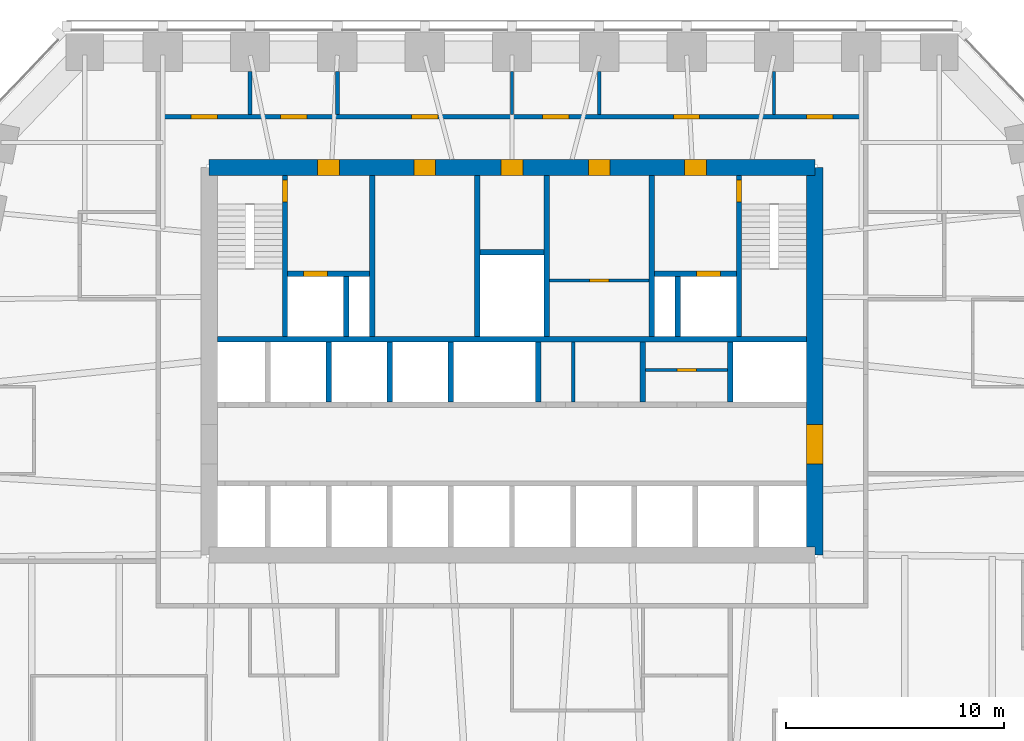
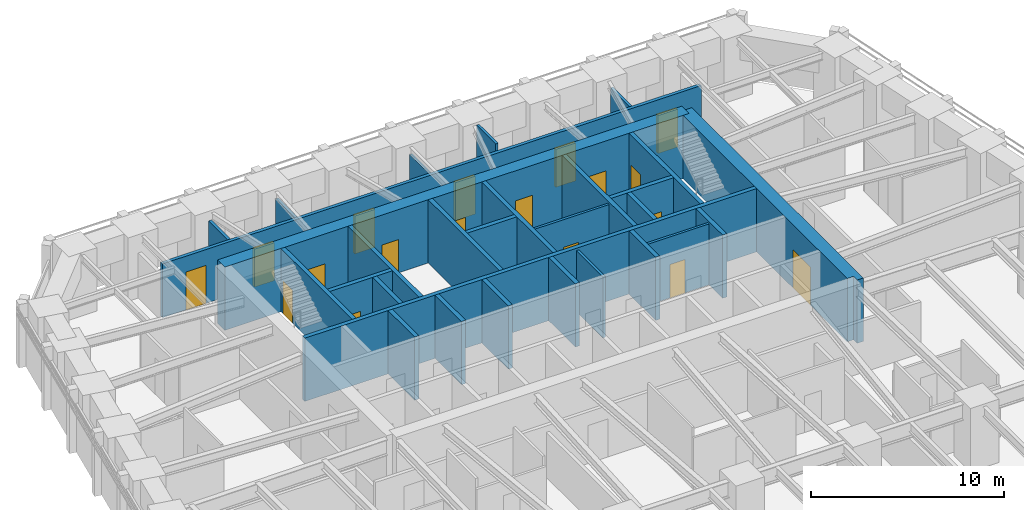
# One storey, part 7 of 10: 29 walls, 18 doors, 18 openings.
"""IFC4 building model written with IfcOpenShell, lengths in metres."""

import ifcopenshell
import ifcopenshell.guid

model = None  # the IFC model being written
_history = None  # IfcOwnerHistory: only IFC2X3 demands one
_inside = {}  # id of a spatial element -> (the spatial element, [elements in it])
_under = {}  # id of a project, library or spatial element -> (it, [spatial elements below it])
_declared = {}  # id of a project -> (the project, [libraries it declares])
_typed = {}  # id of a type object -> (the type object, [elements of that type])
_made_of = {}  # id of a material, layer set ... -> (it, [elements and type objects made of it])


def new_model(schema):
    """Start an empty IFC model of exactly this schema.

    Asked for "IFC4X3", IfcOpenShell would pick the latest addendum, in which some entities
    have other attributes; the version numbers below select the first issue.
    IFC2X3 requires an IfcOwnerHistory on every rooted entity: one is made here for all.
    """
    global model, _history
    if schema == "IFC4X3":
        model = ifcopenshell.file(schema_version=(4, 3, 0, 0))
    else:
        model = ifcopenshell.file(schema=schema)
    _inside.clear()
    _under.clear()
    _declared.clear()
    _typed.clear()
    _made_of.clear()
    _history = None
    if model.schema == "IFC2X3":
        org = make("IfcOrganization", Name="unknown")
        user = make(
            "IfcPersonAndOrganization",
            ThePerson=make("IfcPerson", FamilyName="unknown"),
            TheOrganization=org,
        )
        app = make(
            "IfcApplication",
            ApplicationDeveloper=org,
            Version="unknown",
            ApplicationFullName="unknown",
            ApplicationIdentifier="unknown",
        )
        _history = make(
            "IfcOwnerHistory",
            OwningUser=user,
            OwningApplication=app,
            ChangeAction="ADDED",
            CreationDate=0,
        )
    return model


def make(cls, **values):
    """One entity of the class cls with the attributes given. An attribute that is None is left unset."""
    return model.create_entity(
        cls, **{name: value for name, value in values.items() if value is not None}
    )


def rooted(cls, **values):
    """An entity with a GlobalId (a new one), such as an element, a storey or a relation."""
    return make(cls, GlobalId=ifcopenshell.guid.new(), OwnerHistory=_history, **values)


def si_unit(unit_type, name, prefix=None):
    """IfcSIUnit, for example si_unit("LENGTHUNIT", "METRE", prefix="MILLI")."""
    return make("IfcSIUnit", UnitType=unit_type, Prefix=prefix, Name=name)


def assignment(units):
    """IfcUnitAssignment: the units of a project."""
    return None if units is None else make("IfcUnitAssignment", Units=units)


def point(xyz):
    """IfcCartesianPoint."""
    return None if xyz is None else make("IfcCartesianPoint", Coordinates=xyz)


def direction(xyz):
    """IfcDirection."""
    return None if xyz is None else make("IfcDirection", DirectionRatios=xyz)


def frame(location, z_axis=None, x_axis=None):
    """IfcAxis2Placement3D, a coordinate frame: its origin and axes. An axis left out is left unset."""
    return make(
        "IfcAxis2Placement3D",
        Location=point(location),
        Axis=direction(z_axis),
        RefDirection=direction(x_axis),
    )


def frame_2d(location, x_axis=None):
    """IfcAxis2Placement2D, a coordinate frame in the plane: its origin and x axis."""
    return make(
        "IfcAxis2Placement2D", Location=point(location), RefDirection=direction(x_axis)
    )


def origin():
    """The frame at (0, 0, 0) with its axes left unset."""
    return frame((0.0, 0.0, 0.0))


def place(relative_to, where):
    """IfcLocalPlacement: puts the frame where relative to a parent placement (None: the world)."""
    return make(
        "IfcLocalPlacement", PlacementRelTo=relative_to, RelativePlacement=where
    )


def context(
    kind, dimensions, precision=None, world=None, true_north=None, identifier=None
):
    """IfcGeometricRepresentationContext, for example the 3D "Model" context."""
    return make(
        "IfcGeometricRepresentationContext",
        ContextIdentifier=identifier,
        ContextType=kind,
        CoordinateSpaceDimension=dimensions,
        Precision=precision,
        WorldCoordinateSystem=world,
        TrueNorth=true_north,
    )


def subcontext(parent, identifier, kind, view, scale=None):
    """IfcGeometricRepresentationSubContext, for example "Body" below "Model"."""
    return make(
        "IfcGeometricRepresentationSubContext",
        ContextIdentifier=identifier,
        ContextType=kind,
        ParentContext=parent,
        TargetScale=scale,
        TargetView=view,
    )


def project(units=None, contexts=None):
    """IfcProject with its units and contexts."""
    return rooted(
        "IfcProject",
        Name="project",
        RepresentationContexts=contexts,
        UnitsInContext=assignment(units),
    )


def spatial(cls, under=None, at=None, **own):
    """A site, building, storey or space (cls), placed at a placement, below another one or the project."""
    s = rooted(cls, ObjectPlacement=at, **own)
    if under is not None:
        _under.setdefault(under.id(), (under, []))[1].append(s)
    return s


def polyline(points):
    """IfcPolyline through the points."""
    return make("IfcPolyline", Points=[point(p) for p in points])


def profile(cls, at=None, kind="AREA", **sizes):
    """A parametric profile (cls). Its sizes go by their IFC names, for example OverallWidth=200.0."""
    return make(cls, ProfileType=kind, Position=at, **sizes)


def rectangle(**sizes):
    """IfcRectangleProfileDef."""
    return profile("IfcRectangleProfileDef", **sizes)


def outline(outer, holes=None, kind="AREA"):
    """IfcArbitraryClosedProfileDef: a profile drawn as a closed curve; with holes, ...WithVoids."""
    if holes is None:
        return make("IfcArbitraryClosedProfileDef", ProfileType=kind, OuterCurve=outer)
    return make(
        "IfcArbitraryProfileDefWithVoids",
        ProfileType=kind,
        OuterCurve=outer,
        InnerCurves=holes,
    )


def extrude(swept, where, along, depth):
    """IfcExtrudedAreaSolid: the profile swept, set in the frame where, extruded along a direction by depth."""
    return make(
        "IfcExtrudedAreaSolid",
        SweptArea=swept,
        Position=where,
        ExtrudedDirection=direction(along),
        Depth=depth,
    )


def shape(context_of_items, identifier, shape_type, items):
    """IfcShapeRepresentation: the items that make up one representation, for example the "Body"."""
    return make(
        "IfcShapeRepresentation",
        ContextOfItems=context_of_items,
        RepresentationIdentifier=identifier,
        RepresentationType=shape_type,
        Items=items,
    )


def material(Name=None, Category=None):
    """IfcMaterial."""
    return make("IfcMaterial", Name=Name, Category=Category)


def layer(
    of_material, thickness, ventilated=None, Name=None, Category=None, Priority=None
):
    """IfcMaterialLayer: one layer of a wall or slab, of a material (None: an air gap)."""
    return make(
        "IfcMaterialLayer",
        Material=of_material,
        LayerThickness=thickness,
        IsVentilated=ventilated,
        Name=Name,
        Category=Category,
        Priority=Priority,
    )


def layer_set(layers, Name=None):
    """IfcMaterialLayerSet."""
    return make("IfcMaterialLayerSet", MaterialLayers=layers, LayerSetName=Name)


def made_of(thing, what):
    """Note that an element or type object is made of a material, layer set ...; save() writes the relation."""
    if what is not None:
        _made_of.setdefault(what.id(), (what, []))[1].append(thing)
    return thing


def type_object(cls, material=None, **own):
    """A type object (cls), such as IfcWallType, which elements share."""
    return made_of(rooted(cls, **own), material)


def element(
    cls,
    number,
    at=None,
    inside=None,
    cuts=None,
    type_object=None,
    material=None,
    context=None,
    identifier="Body",
    shape_type=None,
    held_by="IfcProductDefinitionShape",
    body=None,
    shapes=None,
    **own,
):
    """One element of the class cls, such as IfcWall. Its Tag is "e" and its number.

    at: its placement. inside: the storey or other place that contains it. cuts: it is an
    opening in that element (IfcRelVoidsElement). A single representation is given by context,
    identifier, shape_type and body (its items); several are given by shapes. held_by: the class
    of the entity that holds the representations. save() writes the other relations.
    """
    e = rooted(cls, Tag="e%d" % number, ObjectPlacement=at, **own)
    if body is not None:
        shapes = [shape(context, identifier, shape_type, body)]
    if shapes is not None:
        e.Representation = make(held_by, Representations=shapes)
    if inside is not None:
        _inside.setdefault(inside.id(), (inside, []))[1].append(e)
    if cuts is not None:
        rooted(
            "IfcRelVoidsElement", RelatingBuildingElement=cuts, RelatedOpeningElement=e
        )
    if type_object is not None:
        _typed.setdefault(type_object.id(), (type_object, []))[1].append(e)
    return made_of(e, material)


def fill(opening, filler):
    """IfcRelFillsElement: the door or window that sits in an opening."""
    return rooted(
        "IfcRelFillsElement",
        RelatingOpeningElement=opening,
        RelatedBuildingElement=filler,
    )


def aggregate(whole, parts):
    """IfcRelAggregates: a whole, such as a stair, and the parts it consists of."""
    return rooted("IfcRelAggregates", RelatingObject=whole, RelatedObjects=parts)


def save(model, path):
    """Write the relations noted so far, then the file.

    IfcRelAggregates (storeys below a building ...), IfcRelContainedInSpatialStructure (elements
    in a storey), IfcRelDefinesByType, IfcRelAssociatesMaterial and IfcRelDeclares: one each for
    every whole, place, type object, material and project.
    """
    for whole, parts in _under.values():
        aggregate(whole, parts)
    for where, things in _inside.values():
        rooted(
            "IfcRelContainedInSpatialStructure",
            RelatedElements=things,
            RelatingStructure=where,
        )
    for kind, things in _typed.values():
        rooted("IfcRelDefinesByType", RelatedObjects=things, RelatingType=kind)
    for what, things in _made_of.values():
        rooted("IfcRelAssociatesMaterial", RelatedObjects=things, RelatingMaterial=what)
    for by, libraries in _declared.values():
        rooted("IfcRelDeclares", RelatingContext=by, RelatedDefinitions=libraries)
    model.write(path)


model = new_model("IFC4")

# Units and contexts
model_context = context("Model", 3, precision=1e-05, world=origin(), true_north=direction((0.0, 1.0)))
body_context = subcontext(model_context, "Body", "Model", "MODEL_VIEW")
ifc_project = project(units=[si_unit("LENGTHUNIT", "METRE"), si_unit("AREAUNIT", "SQUARE_METRE"), si_unit("VOLUMEUNIT", "CUBIC_METRE"), si_unit("PLANEANGLEUNIT", "RADIAN"), si_unit("MASSUNIT", "GRAM", prefix="KILO")], contexts=[model_context])

# Site, building, storey
site_placement = place(None, origin())
site = spatial("IfcSite", under=ifc_project, at=site_placement, CompositionType="ELEMENT")
building_placement = place(site_placement, origin())
building = spatial("IfcBuilding", under=site, at=building_placement, Name="Isbrekke Arena Tower", CompositionType="ELEMENT")
storey_placement = place(building_placement, frame((0.0, 0.0, 151.0)))
storey = spatial("IfcBuildingStorey", under=building, at=storey_placement, Name="L34", CompositionType="ELEMENT", Elevation=151.0)

# Wall, opening, door
ifc_material_1 = material(Name="Concrete B55 (C55/67)", Category="concrete")
ifc_layer_1 = layer(ifc_material_1, 0.75)
ifc_layer_set_1 = layer_set([ifc_layer_1], Name="CW3 CORE WALL 750")
wall_type_1 = type_object("IfcWallType", Name="CW3 CORE WALL 750", PredefinedType="SHEAR", material=ifc_layer_set_1)
wall_1_placement = place(storey_placement, frame((13.875, 6.125, 0.0), z_axis=(0.0, 0.0, 1.0), x_axis=(0.0, 1.0, 0.0)))
wall_1 = element("IfcWall", 1, at=wall_1_placement, inside=storey, type_object=wall_type_1, Name="Core wall E L34", PredefinedType="SHEAR", context=body_context, shape_type="SweptSolid", body=[
    extrude(outline(polyline([(0.0, -0.375), (17.75, -0.375), (17.75, 0.0), (17.375, 0.0), (17.375, 0.375), (0.375, 0.375), (0.375, 0.0), (0.0, 0.0), (0.0, -0.375)])), origin(), (0.0, 0.0, 1.0), 4.0),
])
opening_1_placement = place(wall_1_placement, frame((4.175048828125, 0.0, 0.0)))
opening_1 = element("IfcOpeningElement", 2, at=opening_1_placement, cuts=wall_1, Name="Opening D1", PredefinedType="OPENING", context=body_context, shape_type="SweptSolid", body=[
    extrude(rectangle(XDim=1.800048828125, YDim=2.39990234375, at=frame_2d((0.89990234375, 1.199951171875))), frame((0.0, 0.389892578125, 0.0), z_axis=(0.0, -1.0, 0.0), x_axis=(1.0, 0.0, 0.0)), (0.0, 0.0, 1.0), 0.77978515625),
])
ifc_material_2 = material(Name="Steel-framed glazed fire door", Category="steel")
door_type_1 = type_object("IfcDoorType", Name="D1 CORE LOBBY DOOR 1800 x 2400", OperationType="DOUBLE_DOOR_SINGLE_SWING", PredefinedType="DOOR", material=ifc_material_2)
door_1_placement = place(opening_1_placement, origin())
door_1 = element("IfcDoor", 3, at=door_1_placement, inside=storey, type_object=door_type_1, Name="D1 lift lobby door east L34", OperationType="DOUBLE_DOOR_SINGLE_SWING", OverallHeight=2.39990234375, OverallWidth=1.800048828125, PredefinedType="DOOR", context=body_context, shape_type="SweptSolid", body=[
    extrude(rectangle(XDim=1.800048828125, YDim=2.39990234375, at=frame_2d((0.89990234375, 1.199951171875))), frame((0.0, 0.374755859375, 0.0), z_axis=(0.0, -1.0, 0.0), x_axis=(1.0, 0.0, 0.0)), (0.0, 0.0, 1.0), 0.74951171875),
])
fill(opening_1, door_1)

# Wall, openings, doors
wall_2_placement = place(storey_placement, frame((13.875, 23.875, 0.0), z_axis=(0.0, 0.0, 1.0), x_axis=(-1.0, 0.0, 0.0)))
wall_2 = element("IfcWall", 4, at=wall_2_placement, inside=storey, type_object=wall_type_1, Name="Core wall N L34", PredefinedType="SHEAR", context=body_context, shape_type="SweptSolid", body=[
    extrude(rectangle(XDim=27.75, YDim=0.75, at=frame_2d((13.875, 0.0))), origin(), (0.0, 0.0, 1.0), 4.0),
])
opening_2_placement = place(wall_2_placement, frame((21.77490234375, 0.0, 0.0)))
opening_2 = element("IfcOpeningElement", 5, at=opening_2_placement, cuts=wall_2, Name="Opening D3", PredefinedType="OPENING", context=body_context, shape_type="SweptSolid", body=[
    extrude(rectangle(XDim=1.0, YDim=2.10009765625, at=frame_2d((0.5, 1.050048828125))), frame((0.0, 0.389892578125, 0.0), z_axis=(0.0, -1.0, 0.0), x_axis=(1.0, 0.0, 0.0)), (0.0, 0.0, 1.0), 0.77978515625),
])
opening_3_placement = place(wall_2_placement, frame((4.97509765625, 0.0, 0.0)))
opening_3 = element("IfcOpeningElement", 6, at=opening_3_placement, cuts=wall_2, Name="Opening D3", PredefinedType="OPENING", context=body_context, shape_type="SweptSolid", body=[
    extrude(rectangle(XDim=1.0, YDim=2.10009765625, at=frame_2d((0.5, 1.050048828125))), frame((0.0, 0.389892578125, 0.0), z_axis=(0.0, -1.0, 0.0), x_axis=(1.0, 0.0, 0.0)), (0.0, 0.0, 1.0), 0.77978515625),
])
opening_4_placement = place(wall_2_placement, frame((17.375, 0.0, 0.0)))
opening_4 = element("IfcOpeningElement", 7, at=opening_4_placement, cuts=wall_2, Name="Opening D4", PredefinedType="OPENING", context=body_context, shape_type="SweptSolid", body=[
    extrude(rectangle(XDim=1.0, YDim=2.10009765625, at=frame_2d((0.5, 1.050048828125))), frame((0.0, 0.389892578125, 0.0), z_axis=(0.0, -1.0, 0.0), x_axis=(1.0, 0.0, 0.0)), (0.0, 0.0, 1.0), 0.77978515625),
])
opening_5_placement = place(wall_2_placement, frame((13.375, 0.0, 0.0)))
opening_5 = element("IfcOpeningElement", 8, at=opening_5_placement, cuts=wall_2, Name="Opening D4", PredefinedType="OPENING", context=body_context, shape_type="SweptSolid", body=[
    extrude(rectangle(XDim=1.0, YDim=2.10009765625, at=frame_2d((0.5, 1.050048828125))), frame((0.0, 0.389892578125, 0.0), z_axis=(0.0, -1.0, 0.0), x_axis=(1.0, 0.0, 0.0)), (0.0, 0.0, 1.0), 0.77978515625),
])
opening_6_placement = place(wall_2_placement, frame((9.375, 0.0, 0.0)))
opening_6 = element("IfcOpeningElement", 9, at=opening_6_placement, cuts=wall_2, Name="Opening D4", PredefinedType="OPENING", context=body_context, shape_type="SweptSolid", body=[
    extrude(rectangle(XDim=1.0, YDim=2.10009765625, at=frame_2d((0.5, 1.050048828125))), frame((0.0, 0.389892578125, 0.0), z_axis=(0.0, -1.0, 0.0), x_axis=(1.0, 0.0, 0.0)), (0.0, 0.0, 1.0), 0.77978515625),
])
ifc_material_3 = material(Name="Steel fire door", Category="steel")
door_type_2 = type_object("IfcDoorType", Name="D3 FIRE LOBBY DOOR 1000 x 2100", OperationType="SINGLE_SWING_RIGHT", PredefinedType="DOOR", material=ifc_material_3)
door_2_placement = place(opening_2_placement, origin())
door_2 = element("IfcDoor", 10, at=door_2_placement, inside=storey, type_object=door_type_2, Name="D3 fire-fighting lobby door L34", OperationType="SINGLE_SWING_RIGHT", OverallHeight=2.10009765625, OverallWidth=1.0, PredefinedType="DOOR", context=body_context, shape_type="SweptSolid", body=[
    extrude(rectangle(XDim=1.0, YDim=2.10009765625, at=frame_2d((0.5, 1.050048828125))), frame((0.0, 0.374755859375, 0.0), z_axis=(0.0, -1.0, 0.0), x_axis=(1.0, 0.0, 0.0)), (0.0, 0.0, 1.0), 0.74951171875),
])
fill(opening_2, door_2)
door_3_placement = place(opening_3_placement, origin())
door_3 = element("IfcDoor", 11, at=door_3_placement, inside=storey, type_object=door_type_2, Name="D3 fire-fighting lobby door L34", OperationType="SINGLE_SWING_RIGHT", OverallHeight=2.10009765625, OverallWidth=1.0, PredefinedType="DOOR", context=body_context, shape_type="SweptSolid", body=[
    extrude(rectangle(XDim=1.0, YDim=2.10009765625, at=frame_2d((0.5, 1.050048828125))), frame((0.0, 0.374755859375, 0.0), z_axis=(0.0, -1.0, 0.0), x_axis=(1.0, 0.0, 0.0)), (0.0, 0.0, 1.0), 0.74951171875),
])
fill(opening_3, door_3)
ifc_material_4 = material(Name="Timber door", Category="wood")
door_type_3 = type_object("IfcDoorType", Name="D4 WC DOOR 1000 x 2100", OperationType="SINGLE_SWING_LEFT", PredefinedType="DOOR", material=ifc_material_4)
door_4_placement = place(opening_4_placement, origin())
door_4 = element("IfcDoor", 12, at=door_4_placement, inside=storey, type_object=door_type_3, Name="D4 wc female door L34", OperationType="SINGLE_SWING_LEFT", OverallHeight=2.10009765625, OverallWidth=1.0, PredefinedType="DOOR", context=body_context, shape_type="SweptSolid", body=[
    extrude(rectangle(XDim=1.0, YDim=2.10009765625, at=frame_2d((0.5, 1.050048828125))), frame((0.0, 0.374755859375, 0.0), z_axis=(0.0, -1.0, 0.0), x_axis=(1.0, 0.0, 0.0)), (0.0, 0.0, 1.0), 0.74951171875),
])
fill(opening_4, door_4)
door_5_placement = place(opening_5_placement, origin())
door_5 = element("IfcDoor", 13, at=door_5_placement, inside=storey, type_object=door_type_3, Name="D4 accessible wc door L34", OperationType="SINGLE_SWING_LEFT", OverallHeight=2.10009765625, OverallWidth=1.0, PredefinedType="DOOR", context=body_context, shape_type="SweptSolid", body=[
    extrude(rectangle(XDim=1.0, YDim=2.10009765625, at=frame_2d((0.5, 1.050048828125))), frame((0.0, 0.374755859375, 0.0), z_axis=(0.0, -1.0, 0.0), x_axis=(1.0, 0.0, 0.0)), (0.0, 0.0, 1.0), 0.74951171875),
])
fill(opening_5, door_5)
door_6_placement = place(opening_6_placement, origin())
door_6 = element("IfcDoor", 14, at=door_6_placement, inside=storey, type_object=door_type_3, Name="D4 wc male door L34", OperationType="SINGLE_SWING_LEFT", OverallHeight=2.10009765625, OverallWidth=1.0, PredefinedType="DOOR", context=body_context, shape_type="SweptSolid", body=[
    extrude(rectangle(XDim=1.0, YDim=2.10009765625, at=frame_2d((0.5, 1.050048828125))), frame((0.0, 0.374755859375, 0.0), z_axis=(0.0, -1.0, 0.0), x_axis=(1.0, 0.0, 0.0)), (0.0, 0.0, 1.0), 0.74951171875),
])
fill(opening_6, door_6)

# Walls
ifc_material_5 = material(Name="Concrete B45 (C45/55)", Category="concrete")
ifc_layer_2 = layer(ifc_material_5, 0.25)
ifc_layer_set_2 = layer_set([ifc_layer_2], Name="CW6 SHAFT WALL 250")
wall_type_2 = type_object("IfcWallType", Name="CW6 SHAFT WALL 250", PredefinedType="SHEAR", material=ifc_layer_set_2)
wall_3_placement = place(storey_placement, frame((-13.5, 16.0, 0.0), z_axis=(0.0, 0.0, 1.0), x_axis=(1.0, 0.0, 0.0)))
element("IfcWall", 15, at=wall_3_placement, inside=storey, type_object=wall_type_2, Name="Core wall NB L34", PredefinedType="SHEAR", context=body_context, shape_type="SweptSolid", body=[
    extrude(rectangle(XDim=27.0, YDim=0.25, at=frame_2d((13.5, 0.0))), origin(), (0.0, 0.0, 1.0), 4.0),
])
for number, where, z_axis, x_axis, name in (
    (16, (-8.39990234375, 13.125, 0.0), (0.0, 0.0, 1.0), (0.0, 1.0, 0.0), "Core wall SN02 L34"),
    (17, (-5.60009765625, 13.125, 0.0), (0.0, 0.0, 1.0), (0.0, 1.0, 0.0), "Core wall SN03 L34"),
    (18, (-2.800048828125, 13.125, 0.0), (0.0, 0.0, 1.0), (0.0, 1.0, 0.0), "Core wall SN04 L34"),
    (19, (1.199951171875, 13.125, 0.0), (0.0, 0.0, 1.0), (0.0, 1.0, 0.0), "Core wall SN05 L34"),
    (20, (6.0, 13.125, 0.0), (0.0, 0.0, 1.0), (0.0, 1.0, 0.0), "Core wall SN06 L34"),
    (21, (10.0, 13.125, 0.0), (0.0, 0.0, 1.0), (0.0, 1.0, 0.0), "Core wall SN07 L34"),
):
    element("IfcWall", number, at=place(storey_placement, frame(where, z_axis=z_axis, x_axis=x_axis)), inside=storey, type_object=wall_type_2, Name=name, PredefinedType="SHEAR", context=body_context, shape_type="SweptSolid", body=[
        extrude(rectangle(XDim=2.75, YDim=0.25, at=frame_2d((1.375, 0.0))), origin(), (0.0, 0.0, 1.0), 4.0),
    ])

# Wall, opening, door
wall_4_placement = place(storey_placement, frame((-10.39990234375, 16.125, 0.0), z_axis=(0.0, 0.0, 1.0), x_axis=(0.0, 1.0, 0.0)))
wall_4 = element("IfcWall", 22, at=wall_4_placement, inside=storey, type_object=wall_type_2, Name="Core wall NV01 L34", PredefinedType="SHEAR", context=body_context, shape_type="SweptSolid", body=[
    extrude(rectangle(XDim=7.375, YDim=0.25, at=frame_2d((3.6875, 0.0))), origin(), (0.0, 0.0, 1.0), 4.0),
])
opening_7_placement = place(wall_4_placement, frame((6.175048828125, 0.0, 0.0)))
opening_7 = element("IfcOpeningElement", 23, at=opening_7_placement, cuts=wall_4, Name="Opening D2", PredefinedType="OPENING", context=body_context, shape_type="SweptSolid", body=[
    extrude(rectangle(XDim=1.0, YDim=2.10009765625, at=frame_2d((0.5, 1.050048828125))), frame((0.0, 0.139892578125, 0.0), z_axis=(0.0, -1.0, 0.0), x_axis=(1.0, 0.0, 0.0)), (0.0, 0.0, 1.0), 0.27978515625),
])
ifc_material_6 = material(Name="Steel fire door", Category="steel")
door_type_4 = type_object("IfcDoorType", Name="D2 STAIR DOOR 1000 x 2100", OperationType="SINGLE_SWING_LEFT", PredefinedType="DOOR", material=ifc_material_6)
door_7_placement = place(opening_7_placement, origin())
door_7 = element("IfcDoor", 24, at=door_7_placement, inside=storey, type_object=door_type_4, Name="D2 stair door ST1 L34", OperationType="SINGLE_SWING_LEFT", OverallHeight=2.10009765625, OverallWidth=1.0, PredefinedType="DOOR", context=body_context, shape_type="SweptSolid", body=[
    extrude(rectangle(XDim=1.0, YDim=2.10009765625, at=frame_2d((0.5, 1.050048828125))), frame((0.0, 0.124755859375, 0.0), z_axis=(0.0, -1.0, 0.0), x_axis=(1.0, 0.0, 0.0)), (0.0, 0.0, 1.0), 0.24951171875),
])
fill(opening_7, door_7)

# Walls
for number, where, z_axis, x_axis, name in (
    (25, (-6.39990234375, 16.125, 0.0), (0.0, 0.0, 1.0), (0.0, 1.0, 0.0), "Core wall NV02 L34"),
    (26, (-1.60009765625, 16.125, 0.0), (0.0, 0.0, 1.0), (0.0, 1.0, 0.0), "Core wall NV03 L34"),
    (27, (1.60009765625, 16.125, 0.0), (0.0, 0.0, 1.0), (0.0, 1.0, 0.0), "Core wall NV04 L34"),
    (28, (6.39990234375, 16.125, 0.0), (0.0, 0.0, 1.0), (0.0, 1.0, 0.0), "Core wall NV05 L34"),
):
    element("IfcWall", number, at=place(storey_placement, frame(where, z_axis=z_axis, x_axis=x_axis)), inside=storey, type_object=wall_type_2, Name=name, PredefinedType="SHEAR", context=body_context, shape_type="SweptSolid", body=[
        extrude(rectangle(XDim=7.375, YDim=0.25, at=frame_2d((3.6875, 0.0))), origin(), (0.0, 0.0, 1.0), 4.0),
    ])

# Wall, opening, door
wall_5_placement = place(storey_placement, frame((10.39990234375, 16.125, 0.0), z_axis=(0.0, 0.0, 1.0), x_axis=(0.0, 1.0, 0.0)))
wall_5 = element("IfcWall", 29, at=wall_5_placement, inside=storey, type_object=wall_type_2, Name="Core wall NV06 L34", PredefinedType="SHEAR", context=body_context, shape_type="SweptSolid", body=[
    extrude(rectangle(XDim=7.375, YDim=0.25, at=frame_2d((3.6875, 0.0))), origin(), (0.0, 0.0, 1.0), 4.0),
])
opening_8_placement = place(wall_5_placement, frame((6.175048828125, 0.0, 0.0)))
opening_8 = element("IfcOpeningElement", 30, at=opening_8_placement, cuts=wall_5, Name="Opening D2", PredefinedType="OPENING", context=body_context, shape_type="SweptSolid", body=[
    extrude(rectangle(XDim=1.0, YDim=2.10009765625, at=frame_2d((0.5, 1.050048828125))), frame((0.0, 0.139892578125, 0.0), z_axis=(0.0, -1.0, 0.0), x_axis=(1.0, 0.0, 0.0)), (0.0, 0.0, 1.0), 0.27978515625),
])
door_8_placement = place(opening_8_placement, origin())
door_8 = element("IfcDoor", 31, at=door_8_placement, inside=storey, type_object=door_type_4, Name="D2 stair door ST2 L34", OperationType="SINGLE_SWING_LEFT", OverallHeight=2.10009765625, OverallWidth=1.0, PredefinedType="DOOR", context=body_context, shape_type="SweptSolid", body=[
    extrude(rectangle(XDim=1.0, YDim=2.10009765625, at=frame_2d((0.5, 1.050048828125))), frame((0.0, 0.124755859375, 0.0), z_axis=(0.0, -1.0, 0.0), x_axis=(1.0, 0.0, 0.0)), (0.0, 0.0, 1.0), 0.24951171875),
])
fill(opening_8, door_8)

wall_6_placement = place(storey_placement, frame((-10.27490234375, 19.0, 0.0), z_axis=(0.0, 0.0, 1.0), x_axis=(1.0, 0.0, 0.0)))
wall_6 = element("IfcWall", 32, at=wall_6_placement, inside=storey, type_object=wall_type_2, Name="Core wall NFW L34", PredefinedType="SHEAR", context=body_context, shape_type="SweptSolid", body=[
    extrude(rectangle(XDim=3.75, YDim=0.25, at=frame_2d((1.875, 0.0))), origin(), (0.0, 0.0, 1.0), 4.0),
])
opening_9_placement = place(wall_6_placement, frame((0.72509765625, 0.0, 0.0)))
opening_9 = element("IfcOpeningElement", 33, at=opening_9_placement, cuts=wall_6, Name="Opening LD2", PredefinedType="OPENING", context=body_context, shape_type="SweptSolid", body=[
    extrude(rectangle(XDim=1.10009765625, YDim=2.10009765625, at=frame_2d((0.550048828125, 1.050048828125))), frame((0.0, 0.139892578125, 0.0), z_axis=(0.0, -1.0, 0.0), x_axis=(1.0, 0.0, 0.0)), (0.0, 0.0, 1.0), 0.27978515625),
])
ifc_material_7 = material(Name="Stainless steel lift landing door", Category="steel")
door_type_5 = type_object("IfcDoorType", Name="LD2 FIRE-FIGHTING LIFT LANDING DOOR 1100 x 2100", OperationType="SLIDING_TO_RIGHT", PredefinedType="DOOR", material=ifc_material_7)
door_9_placement = place(opening_9_placement, origin())
door_9 = element("IfcDoor", 34, at=door_9_placement, inside=storey, type_object=door_type_5, Name="LD2 lift landing door LF L34", OperationType="SLIDING_TO_RIGHT", OverallHeight=2.10009765625, OverallWidth=1.10009765625, PredefinedType="DOOR", context=body_context, shape_type="SweptSolid", body=[
    extrude(rectangle(XDim=1.10009765625, YDim=2.10009765625, at=frame_2d((0.550048828125, 1.050048828125))), frame((0.0, 0.124755859375, 0.0), z_axis=(0.0, -1.0, 0.0), x_axis=(1.0, 0.0, 0.0)), (0.0, 0.0, 1.0), 0.24951171875),
])
fill(opening_9, door_9)

wall_7_placement = place(storey_placement, frame((6.52490234375, 19.0, 0.0), z_axis=(0.0, 0.0, 1.0), x_axis=(1.0, 0.0, 0.0)))
wall_7 = element("IfcWall", 35, at=wall_7_placement, inside=storey, type_object=wall_type_2, Name="Core wall NFE L34", PredefinedType="SHEAR", context=body_context, shape_type="SweptSolid", body=[
    extrude(rectangle(XDim=3.75, YDim=0.25, at=frame_2d((1.875, 0.0))), origin(), (0.0, 0.0, 1.0), 4.0),
])
opening_10_placement = place(wall_7_placement, frame((1.925048828125, 0.0, 0.0)))
opening_10 = element("IfcOpeningElement", 36, at=opening_10_placement, cuts=wall_7, Name="Opening LD2", PredefinedType="OPENING", context=body_context, shape_type="SweptSolid", body=[
    extrude(rectangle(XDim=1.10009765625, YDim=2.10009765625, at=frame_2d((0.550048828125, 1.050048828125))), frame((0.0, 0.139892578125, 0.0), z_axis=(0.0, -1.0, 0.0), x_axis=(1.0, 0.0, 0.0)), (0.0, 0.0, 1.0), 0.27978515625),
])
door_10_placement = place(opening_10_placement, origin())
door_10 = element("IfcDoor", 37, at=door_10_placement, inside=storey, type_object=door_type_5, Name="LD2 lift landing door LF L34", OperationType="SLIDING_TO_RIGHT", OverallHeight=2.10009765625, OverallWidth=1.10009765625, PredefinedType="DOOR", context=body_context, shape_type="SweptSolid", body=[
    extrude(rectangle(XDim=1.10009765625, YDim=2.10009765625, at=frame_2d((0.550048828125, 1.050048828125))), frame((0.0, 0.124755859375, 0.0), z_axis=(0.0, -1.0, 0.0), x_axis=(1.0, 0.0, 0.0)), (0.0, 0.0, 1.0), 0.24951171875),
])
fill(opening_10, door_10)

# Walls
for number, where, z_axis, x_axis, name in (
    (38, (-7.60009765625, 16.125, 0.0), (0.0, 0.0, 1.0), (0.0, 1.0, 0.0), "Core wall NFS1 L34"),
    (39, (7.60009765625, 16.125, 0.0), (0.0, 0.0, 1.0), (0.0, 1.0, 0.0), "Core wall NFS2 L34"),
):
    element("IfcWall", number, at=place(storey_placement, frame(where, z_axis=z_axis, x_axis=x_axis)), inside=storey, type_object=wall_type_2, Name=name, PredefinedType="SHEAR", context=body_context, shape_type="SweptSolid", body=[
        extrude(rectangle(XDim=2.75, YDim=0.25, at=frame_2d((1.375, 0.0))), origin(), (0.0, 0.0, 1.0), 4.0),
    ])
wall_8_placement = place(storey_placement, frame((-1.47509765625, 20.0, 0.0), z_axis=(0.0, 0.0, 1.0), x_axis=(1.0, 0.0, 0.0)))
element("IfcWall", 40, at=wall_8_placement, inside=storey, type_object=wall_type_2, Name="Core wall NWC L34", PredefinedType="SHEAR", context=body_context, shape_type="SweptSolid", body=[
    extrude(rectangle(XDim=2.9501953125, YDim=0.25, at=frame_2d((1.47509765625, 0.0))), origin(), (0.0, 0.0, 1.0), 4.0),
])
ifc_material_8 = material(Name="Gypsum board partition on steel studs", Category="steel")
ifc_layer_3 = layer(ifc_material_8, 0.14990234375)
ifc_layer_set_3 = layer_set([ifc_layer_3], Name="IW1 PARTITION 150")
wall_type_3 = type_object("IfcWallType", Name="IW1 PARTITION 150", PredefinedType="PARTITIONING", material=ifc_layer_set_3)
wall_9_placement = place(storey_placement, frame((0.0, 26.300048828125, 0.0), z_axis=(0.0, 0.0, 1.0), x_axis=(0.0, 1.0, 0.0)))
element("IfcWall", 41, at=wall_9_placement, inside=storey, type_object=wall_type_3, Name="IW1 partition 150 L34", PredefinedType="PARTITIONING", context=body_context, shape_type="SweptSolid", body=[
    extrude(rectangle(XDim=1.974853515625, YDim=0.14990234375, at=frame_2d((0.9873046875, 0.0))), origin(), (0.0, 0.0, 1.0), 3.39990234375),
])
wall_10_placement = place(storey_placement, frame((4.0, 26.300048828125, 0.0), z_axis=(0.0, 0.0, 1.0), x_axis=(0.0, 1.0, 0.0)))
element("IfcWall", 42, at=wall_10_placement, inside=storey, type_object=wall_type_3, Name="IW1 partition 150 L34", PredefinedType="PARTITIONING", context=body_context, shape_type="SweptSolid", body=[
    extrude(rectangle(XDim=1.974853515625, YDim=0.14990234375, at=frame_2d((0.9873046875, 0.0))), origin(), (0.0, 0.0, 1.0), 3.85009765625),
])
wall_11_placement = place(storey_placement, frame((12.0, 26.300048828125, 0.0), z_axis=(0.0, 0.0, 1.0), x_axis=(0.0, 1.0, 0.0)))
element("IfcWall", 43, at=wall_11_placement, inside=storey, type_object=wall_type_3, Name="IW1 partition 150 L34", PredefinedType="PARTITIONING", context=body_context, shape_type="SweptSolid", body=[
    extrude(rectangle(XDim=1.974853515625, YDim=0.14990234375, at=frame_2d((0.9873046875, 0.0))), origin(), (0.0, 0.0, 1.0), 3.39990234375),
])

# Wall, openings, doors
ifc_material_9 = material(Name="Gypsum board fire-cell wall on steel studs, two layers each side", Category="steel")
ifc_layer_4 = layer(ifc_material_9, 0.199951171875)
ifc_layer_set_4 = layer_set([ifc_layer_4], Name="IW3 FIRE-CELL WALL 200")
wall_type_4 = type_object("IfcWallType", Name="IW3 FIRE-CELL WALL 200", PredefinedType="PARTITIONING", material=ifc_layer_set_4)
wall_12_placement = place(storey_placement, frame((-16.10009765625, 26.199951171875, 0.0), z_axis=(0.0, 0.0, 1.0), x_axis=(1.0, 0.0, 0.0)))
wall_12 = element("IfcWall", 44, at=wall_12_placement, inside=storey, type_object=wall_type_4, Name="IW3 fire-cell wall 200 L34", PredefinedType="PARTITIONING", context=body_context, shape_type="SweptSolid", body=[
    extrude(rectangle(XDim=32.2001953125, YDim=0.199951171875, at=frame_2d((16.10009765625, 0.0))), origin(), (0.0, 0.0, 1.0), 3.39990234375),
])
opening_11_placement = place(wall_12_placement, frame((1.39990234375, 0.0, 0.0)))
opening_11 = element("IfcOpeningElement", 45, at=opening_11_placement, cuts=wall_12, Name="Opening D12", PredefinedType="OPENING", context=body_context, shape_type="SweptSolid", body=[
    extrude(rectangle(XDim=1.199951171875, YDim=2.39990234375, at=frame_2d((0.60009765625, 1.199951171875))), frame((0.0, 0.11474609375, 0.0), z_axis=(0.0, -1.0, 0.0), x_axis=(1.0, 0.0, 0.0)), (0.0, 0.0, 1.0), 0.229736328125),
])
opening_12_placement = place(wall_12_placement, frame((5.5, 0.0, 0.0)))
opening_12 = element("IfcOpeningElement", 46, at=opening_12_placement, cuts=wall_12, Name="Opening D12", PredefinedType="OPENING", context=body_context, shape_type="SweptSolid", body=[
    extrude(rectangle(XDim=1.199951171875, YDim=2.39990234375, at=frame_2d((0.60009765625, 1.199951171875))), frame((0.0, 0.11474609375, 0.0), z_axis=(0.0, -1.0, 0.0), x_axis=(1.0, 0.0, 0.0)), (0.0, 0.0, 1.0), 0.229736328125),
])
opening_13_placement = place(wall_12_placement, frame((11.5, 0.0, 0.0)))
opening_13 = element("IfcOpeningElement", 47, at=opening_13_placement, cuts=wall_12, Name="Opening D12", PredefinedType="OPENING", context=body_context, shape_type="SweptSolid", body=[
    extrude(rectangle(XDim=1.199951171875, YDim=2.39990234375, at=frame_2d((0.60009765625, 1.199951171875))), frame((0.0, 0.11474609375, 0.0), z_axis=(0.0, -1.0, 0.0), x_axis=(1.0, 0.0, 0.0)), (0.0, 0.0, 1.0), 0.229736328125),
])
opening_14_placement = place(wall_12_placement, frame((17.5, 0.0, 0.0)))
opening_14 = element("IfcOpeningElement", 48, at=opening_14_placement, cuts=wall_12, Name="Opening D12", PredefinedType="OPENING", context=body_context, shape_type="SweptSolid", body=[
    extrude(rectangle(XDim=1.199951171875, YDim=2.39990234375, at=frame_2d((0.60009765625, 1.199951171875))), frame((0.0, 0.11474609375, 0.0), z_axis=(0.0, -1.0, 0.0), x_axis=(1.0, 0.0, 0.0)), (0.0, 0.0, 1.0), 0.229736328125),
])
opening_15_placement = place(wall_12_placement, frame((23.5, 0.0, 0.0)))
opening_15 = element("IfcOpeningElement", 49, at=opening_15_placement, cuts=wall_12, Name="Opening D12", PredefinedType="OPENING", context=body_context, shape_type="SweptSolid", body=[
    extrude(rectangle(XDim=1.199951171875, YDim=2.39990234375, at=frame_2d((0.60009765625, 1.199951171875))), frame((0.0, 0.11474609375, 0.0), z_axis=(0.0, -1.0, 0.0), x_axis=(1.0, 0.0, 0.0)), (0.0, 0.0, 1.0), 0.229736328125),
])
opening_16_placement = place(wall_12_placement, frame((29.60009765625, 0.0, 0.0)))
opening_16 = element("IfcOpeningElement", 50, at=opening_16_placement, cuts=wall_12, Name="Opening D12", PredefinedType="OPENING", context=body_context, shape_type="SweptSolid", body=[
    extrude(rectangle(XDim=1.199951171875, YDim=2.39990234375, at=frame_2d((0.60009765625, 1.199951171875))), frame((0.0, 0.11474609375, 0.0), z_axis=(0.0, -1.0, 0.0), x_axis=(1.0, 0.0, 0.0)), (0.0, 0.0, 1.0), 0.229736328125),
])
ifc_material_10 = material(Name="Timber fire door with vision panel", Category="wood")
door_type_6 = type_object("IfcDoorType", Name="D12 SUITE ENTRANCE DOOR 1200 x 2400", OperationType="SINGLE_SWING_LEFT", PredefinedType="DOOR", material=ifc_material_10)
door_11_placement = place(opening_11_placement, origin())
door_11 = element("IfcDoor", 51, at=door_11_placement, inside=storey, type_object=door_type_6, Name="D12 focus room door L34", OperationType="SINGLE_SWING_LEFT", OverallHeight=2.39990234375, OverallWidth=1.199951171875, PredefinedType="DOOR", context=body_context, shape_type="SweptSolid", body=[
    extrude(rectangle(XDim=1.199951171875, YDim=2.39990234375, at=frame_2d((0.60009765625, 1.199951171875))), frame((0.0, 0.099609375, 0.0), z_axis=(0.0, -1.0, 0.0), x_axis=(1.0, 0.0, 0.0)), (0.0, 0.0, 1.0), 0.199462890625),
])
fill(opening_11, door_11)
door_12_placement = place(opening_12_placement, origin())
door_12 = element("IfcDoor", 52, at=door_12_placement, inside=storey, type_object=door_type_6, Name="D12 focus room door L34", OperationType="SINGLE_SWING_LEFT", OverallHeight=2.39990234375, OverallWidth=1.199951171875, PredefinedType="DOOR", context=body_context, shape_type="SweptSolid", body=[
    extrude(rectangle(XDim=1.199951171875, YDim=2.39990234375, at=frame_2d((0.60009765625, 1.199951171875))), frame((0.0, 0.099609375, 0.0), z_axis=(0.0, -1.0, 0.0), x_axis=(1.0, 0.0, 0.0)), (0.0, 0.0, 1.0), 0.199462890625),
])
fill(opening_12, door_12)
door_13_placement = place(opening_13_placement, origin())
door_13 = element("IfcDoor", 53, at=door_13_placement, inside=storey, type_object=door_type_6, Name="D12 meeting room door L34", OperationType="SINGLE_SWING_LEFT", OverallHeight=2.39990234375, OverallWidth=1.199951171875, PredefinedType="DOOR", context=body_context, shape_type="SweptSolid", body=[
    extrude(rectangle(XDim=1.199951171875, YDim=2.39990234375, at=frame_2d((0.60009765625, 1.199951171875))), frame((0.0, 0.099609375, 0.0), z_axis=(0.0, -1.0, 0.0), x_axis=(1.0, 0.0, 0.0)), (0.0, 0.0, 1.0), 0.199462890625),
])
fill(opening_13, door_13)
door_14_placement = place(opening_14_placement, origin())
door_14 = element("IfcDoor", 54, at=door_14_placement, inside=storey, type_object=door_type_6, Name="D12 print room door L34", OperationType="SINGLE_SWING_LEFT", OverallHeight=2.39990234375, OverallWidth=1.199951171875, PredefinedType="DOOR", context=body_context, shape_type="SweptSolid", body=[
    extrude(rectangle(XDim=1.199951171875, YDim=2.39990234375, at=frame_2d((0.60009765625, 1.199951171875))), frame((0.0, 0.099609375, 0.0), z_axis=(0.0, -1.0, 0.0), x_axis=(1.0, 0.0, 0.0)), (0.0, 0.0, 1.0), 0.199462890625),
])
fill(opening_14, door_14)
door_15_placement = place(opening_15_placement, origin())
door_15 = element("IfcDoor", 55, at=door_15_placement, inside=storey, type_object=door_type_6, Name="D12 meeting room door L34", OperationType="SINGLE_SWING_LEFT", OverallHeight=2.39990234375, OverallWidth=1.199951171875, PredefinedType="DOOR", context=body_context, shape_type="SweptSolid", body=[
    extrude(rectangle(XDim=1.199951171875, YDim=2.39990234375, at=frame_2d((0.60009765625, 1.199951171875))), frame((0.0, 0.099609375, 0.0), z_axis=(0.0, -1.0, 0.0), x_axis=(1.0, 0.0, 0.0)), (0.0, 0.0, 1.0), 0.199462890625),
])
fill(opening_15, door_15)
door_16_placement = place(opening_16_placement, origin())
door_16 = element("IfcDoor", 56, at=door_16_placement, inside=storey, type_object=door_type_6, Name="D12 store door L34", OperationType="SINGLE_SWING_LEFT", OverallHeight=2.39990234375, OverallWidth=1.199951171875, PredefinedType="DOOR", context=body_context, shape_type="SweptSolid", body=[
    extrude(rectangle(XDim=1.199951171875, YDim=2.39990234375, at=frame_2d((0.60009765625, 1.199951171875))), frame((0.0, 0.099609375, 0.0), z_axis=(0.0, -1.0, 0.0), x_axis=(1.0, 0.0, 0.0)), (0.0, 0.0, 1.0), 0.199462890625),
])
fill(opening_16, door_16)

# Walls
ifc_material_11 = material(Name="Gypsum board acoustic partition on twin steel studs", Category="steel")
ifc_layer_5 = layer(ifc_material_11, 0.175048828125)
ifc_layer_set_5 = layer_set([ifc_layer_5], Name="IW4 ACOUSTIC PARTITION 175")
wall_type_5 = type_object("IfcWallType", Name="IW4 ACOUSTIC PARTITION 175", PredefinedType="PARTITIONING", material=ifc_layer_set_5)
for number, where, z_axis, x_axis, name in (
    (57, (-12.0, 26.300048828125, 0.0), (0.0, 0.0, 1.0), (0.0, 1.0, 0.0), "IW4 acoustic partition 175 L34"),
    (58, (-8.0, 26.300048828125, 0.0), (0.0, 0.0, 1.0), (0.0, 1.0, 0.0), "IW4 acoustic partition 175 L34"),
):
    element("IfcWall", number, at=place(storey_placement, frame(where, z_axis=z_axis, x_axis=x_axis)), inside=storey, type_object=wall_type_5, Name=name, PredefinedType="PARTITIONING", context=body_context, shape_type="SweptSolid", body=[
        extrude(rectangle(XDim=1.974853515625, YDim=0.175048828125, at=frame_2d((0.9873046875, 0.0))), origin(), (0.0, 0.0, 1.0), 3.39990234375),
    ])

# Wall, opening, door
ifc_material_12 = material(Name="Gypsum board fire-rated partition on steel studs, two layers each side", Category="steel")
ifc_layer_6 = layer(ifc_material_12, 0.14990234375)
ifc_layer_set_6 = layer_set([ifc_layer_6], Name="IW5 FIRE-RATED PARTITION 150")
wall_type_6 = type_object("IfcWallType", Name="IW5 FIRE-RATED PARTITION 150", PredefinedType="PARTITIONING", material=ifc_layer_set_6)
wall_13_placement = place(storey_placement, frame((1.72509765625, 18.699951171875, 0.0), z_axis=(0.0, 0.0, 1.0), x_axis=(1.0, 0.0, 0.0)))
wall_13 = element("IfcWall", 59, at=wall_13_placement, inside=storey, type_object=wall_type_6, Name="IW5 fire-rated partition L34 cleaner's store M", PredefinedType="PARTITIONING", context=body_context, shape_type="SweptSolid", body=[
    extrude(rectangle(XDim=4.5498046875, YDim=0.14990234375, at=frame_2d((2.27490234375, 0.0))), origin(), (0.0, 0.0, 1.0), 3.85009765625),
])
opening_17_placement = place(wall_13_placement, frame((1.824951171875, 0.0, 0.0)))
opening_17 = element("IfcOpeningElement", 60, at=opening_17_placement, cuts=wall_13, Name="Opening D5", PredefinedType="OPENING", context=body_context, shape_type="SweptSolid", body=[
    extrude(rectangle(XDim=0.89990234375, YDim=2.10009765625, at=frame_2d((0.449951171875, 1.050048828125))), frame((0.0, 0.08984375, 0.0), z_axis=(0.0, -1.0, 0.0), x_axis=(1.0, 0.0, 0.0)), (0.0, 0.0, 1.0), 0.1796875),
])
ifc_material_13 = material(Name="Steel fire door", Category="steel")
door_type_7 = type_object("IfcDoorType", Name="D5 SERVICE DOOR 900 x 2100", OperationType="SINGLE_SWING_LEFT", PredefinedType="DOOR", material=ifc_material_13)
door_17_placement = place(opening_17_placement, origin())
door_17 = element("IfcDoor", 61, at=door_17_placement, inside=storey, type_object=door_type_7, Name="D5 cleaner's store door L34", OperationType="SINGLE_SWING_LEFT", OverallHeight=2.10009765625, OverallWidth=0.89990234375, PredefinedType="DOOR", context=body_context, shape_type="SweptSolid", body=[
    extrude(rectangle(XDim=0.89990234375, YDim=2.10009765625, at=frame_2d((0.449951171875, 1.050048828125))), frame((0.0, 0.07470703125, 0.0), z_axis=(0.0, -1.0, 0.0), x_axis=(1.0, 0.0, 0.0)), (0.0, 0.0, 1.0), 0.1494140625),
])
fill(opening_17, door_17)

# Wall
wall_14_placement = place(storey_placement, frame((2.800048828125, 13.125, 0.0), z_axis=(0.0, 0.0, 1.0), x_axis=(0.0, 1.0, 0.0)))
element("IfcWall", 62, at=wall_14_placement, inside=storey, type_object=wall_type_6, Name="IW5 fire-rated partition L34 core service rooms 1", PredefinedType="PARTITIONING", context=body_context, shape_type="SweptSolid", body=[
    extrude(rectangle(XDim=2.75, YDim=0.14990234375, at=frame_2d((1.375, 0.0))), origin(), (0.0, 0.0, 1.0), 3.85009765625),
])

# Wall, opening, door
wall_15_placement = place(storey_placement, frame((6.125, 14.60009765625, 0.0), z_axis=(0.0, 0.0, 1.0), x_axis=(1.0, 0.0, 0.0)))
wall_15 = element("IfcWall", 63, at=wall_15_placement, inside=storey, type_object=wall_type_6, Name="IW5 fire-rated partition L34 core service rooms 2", PredefinedType="PARTITIONING", context=body_context, shape_type="SweptSolid", body=[
    extrude(rectangle(XDim=3.75, YDim=0.14990234375, at=frame_2d((1.875, 0.0))), origin(), (0.0, 0.0, 1.0), 3.85009765625),
])
opening_18_placement = place(wall_15_placement, frame((1.425048828125, 0.0, 0.0)))
opening_18 = element("IfcOpeningElement", 64, at=opening_18_placement, cuts=wall_15, Name="Opening D5", PredefinedType="OPENING", context=body_context, shape_type="SweptSolid", body=[
    extrude(rectangle(XDim=0.89990234375, YDim=2.10009765625, at=frame_2d((0.449951171875, 1.050048828125))), frame((0.0, 0.08984375, 0.0), z_axis=(0.0, -1.0, 0.0), x_axis=(1.0, 0.0, 0.0)), (0.0, 0.0, 1.0), 0.1796875),
])
door_18_placement = place(opening_18_placement, origin())
door_18 = element("IfcDoor", 65, at=door_18_placement, inside=storey, type_object=door_type_7, Name="D5 technical room door L34", OperationType="SINGLE_SWING_LEFT", OverallHeight=2.10009765625, OverallWidth=0.89990234375, PredefinedType="DOOR", context=body_context, shape_type="SweptSolid", body=[
    extrude(rectangle(XDim=0.89990234375, YDim=2.10009765625, at=frame_2d((0.449951171875, 1.050048828125))), frame((0.0, 0.07470703125, 0.0), z_axis=(0.0, -1.0, 0.0), x_axis=(1.0, 0.0, 0.0)), (0.0, 0.0, 1.0), 0.1494140625),
])
fill(opening_18, door_18)

save(model, "model.ifc")
